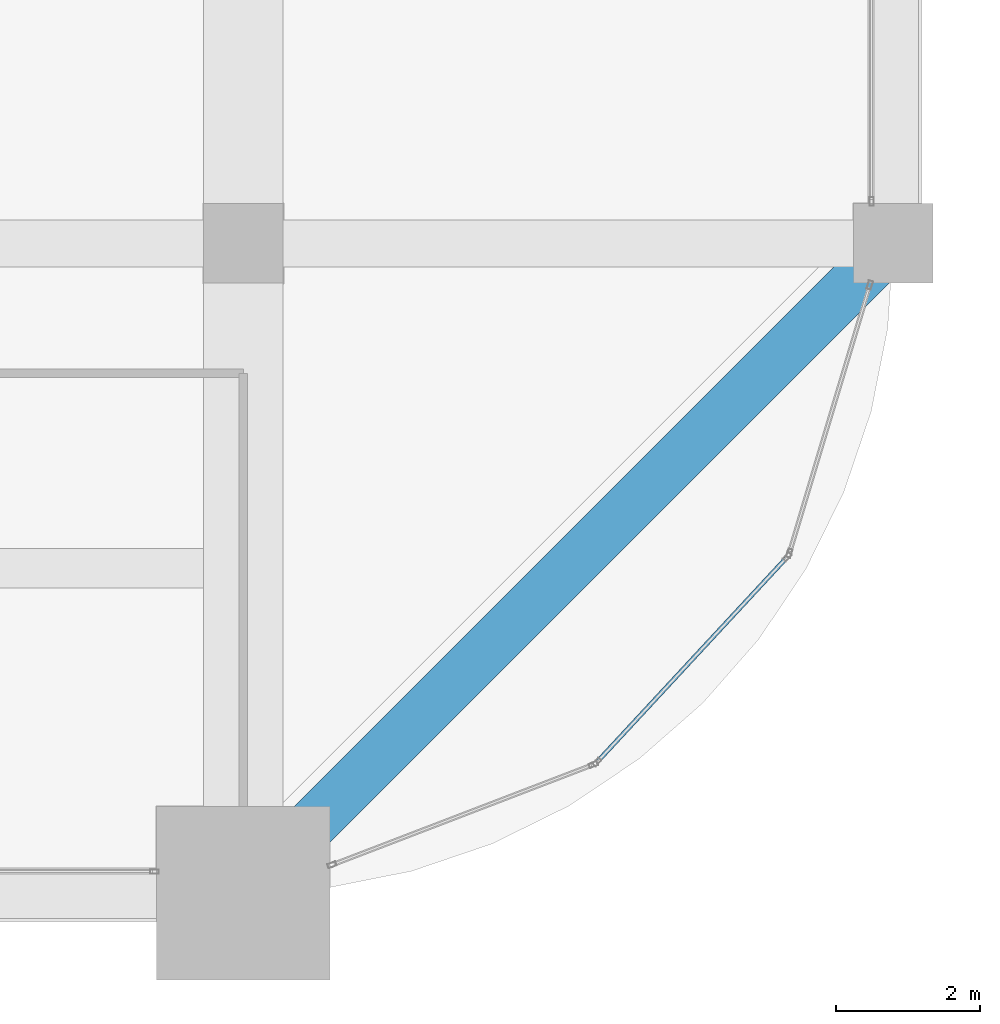
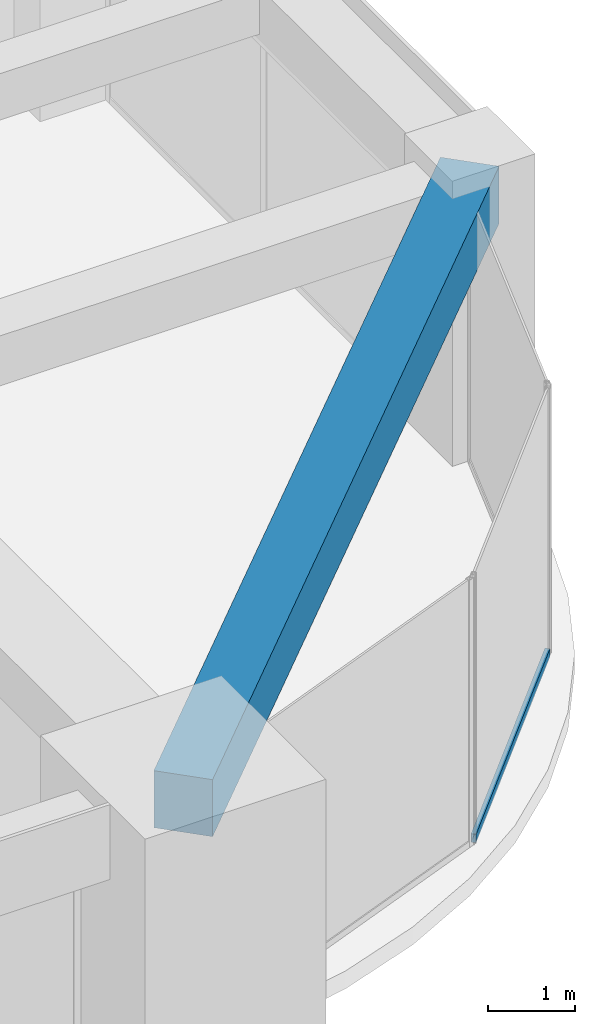
# One storey, part 19 of 45: 1 beam, 1 member, 1 element without a shape of its own.
"""IFC4 building model written with IfcOpenShell, lengths in metres."""

from ifc_helpers import new_model, si_unit, direction, frame, origin, origin_2d, place, context, subcontext, project, spatial, rectangle, hollow_rectangle, extrude, material, material_profile, profile_set, type_object, element, aggregate, save


model = new_model("IFC4")

# Units and contexts
model_context = context("Model", 3, precision=1e-05, world=origin(), true_north=direction((0.0, 1.0)))
body_context = subcontext(model_context, "Body", "Model", "MODEL_VIEW")
ifc_project = project(units=[si_unit("LENGTHUNIT", "METRE"), si_unit("AREAUNIT", "SQUARE_METRE"), si_unit("VOLUMEUNIT", "CUBIC_METRE"), si_unit("PLANEANGLEUNIT", "RADIAN"), si_unit("MASSUNIT", "GRAM", prefix="KILO")], contexts=[model_context])

# Site, building, storey
site_placement = place(None, origin())
site = spatial("IfcSite", under=ifc_project, at=site_placement, CompositionType="ELEMENT")
building_placement = place(site_placement, origin())
building = spatial("IfcBuilding", under=site, at=building_placement, Name="Zorevar Civic Tower", CompositionType="ELEMENT")
storey_placement = place(building_placement, frame((0.0, 0.0, 247.39990234375)))
storey = spatial("IfcBuildingStorey", under=building, at=storey_placement, Name="L60", CompositionType="ELEMENT", Elevation=247.39990234375)

# Curtain wall, member
ifc_material_1 = material(Name="Dark grey solar-control glass in black aluminium frame", Category="aluminium")
curtain_wall_type = type_object("IfcCurtainWallType", Name="Curtain wall CW5 top zone", PredefinedType="NOTDEFINED", material=ifc_material_1)
curtain_wall_placement = place(storey_placement, origin())
curtain_wall = element("IfcCurtainWall", 1, at=curtain_wall_placement, inside=storey, type_object=curtain_wall_type, Name="CW5 L60", PredefinedType="NOTDEFINED")
ifc_material_2 = material(Name="Aluminium, black anodised", Category="aluminium")
ifc_material_profile_1 = material_profile(ifc_material_2, hollow_rectangle(XDim=0.06005859375, YDim=0.1201171875, WallThickness=0.0029296875, at=origin_2d()), Name="AL 120x60x3")
ifc_profile_set_1 = profile_set([ifc_material_profile_1], Name="Aluminium, black anodised")
member_type = type_object("IfcMemberType", Name="CW5 transom AL 120x60x3", PredefinedType="USERDEFINED", material=ifc_profile_set_1)
member_placement = place(storey_placement, frame((49.91552734375, 1.837890625, 0.030029296875), z_axis=(0.680058385616, 0.733157958528, 0.0), x_axis=(-0.733157958528, 0.680058385616, 0.0)))
member = element("IfcMember", 2, at=member_placement, type_object=member_type, Name="CW5 sill transom", ObjectType="TRANSOM", PredefinedType="USERDEFINED", context=body_context, shape_type="SweptSolid", body=[
    extrude(hollow_rectangle(XDim=0.06005859375, YDim=0.1201171875, WallThickness=0.0029296875, at=origin_2d()), origin(), (0.0, 0.0, 1.0), 3.816162109375),
])
aggregate(curtain_wall, [member])

# Beam
ifc_material_3 = material(Name="Concrete C50/60", Category="concrete")
ifc_material_profile_2 = material_profile(ifc_material_3, rectangle(XDim=0.699951171875, YDim=0.800048828125, at=origin_2d()), Name="RC 700x800")
ifc_profile_set_2 = profile_set([ifc_material_profile_2], Name="Concrete C50/60")
beam_type = type_object("IfcBeamType", Name="Edge beam RC 700x800", PredefinedType="SPANDREL", material=ifc_profile_set_2)
beam_placement = place(storey_placement, frame((45.0, 0.0, 3.35009765625), z_axis=(0.707106781187, 0.707106781187, 0.0), x_axis=(-0.707106781187, 0.707106781187, 0.0)))
element("IfcBeam", 3, at=beam_placement, inside=storey, type_object=beam_type, Name="Corner edge beam L61", PredefinedType="SPANDREL", context=body_context, shape_type="SweptSolid", body=[
    extrude(rectangle(XDim=0.699951171875, YDim=0.800048828125, at=origin_2d()), origin(), (0.0, 0.0, 1.0), 12.72802734375),
])

save(model, "model.ifc")
